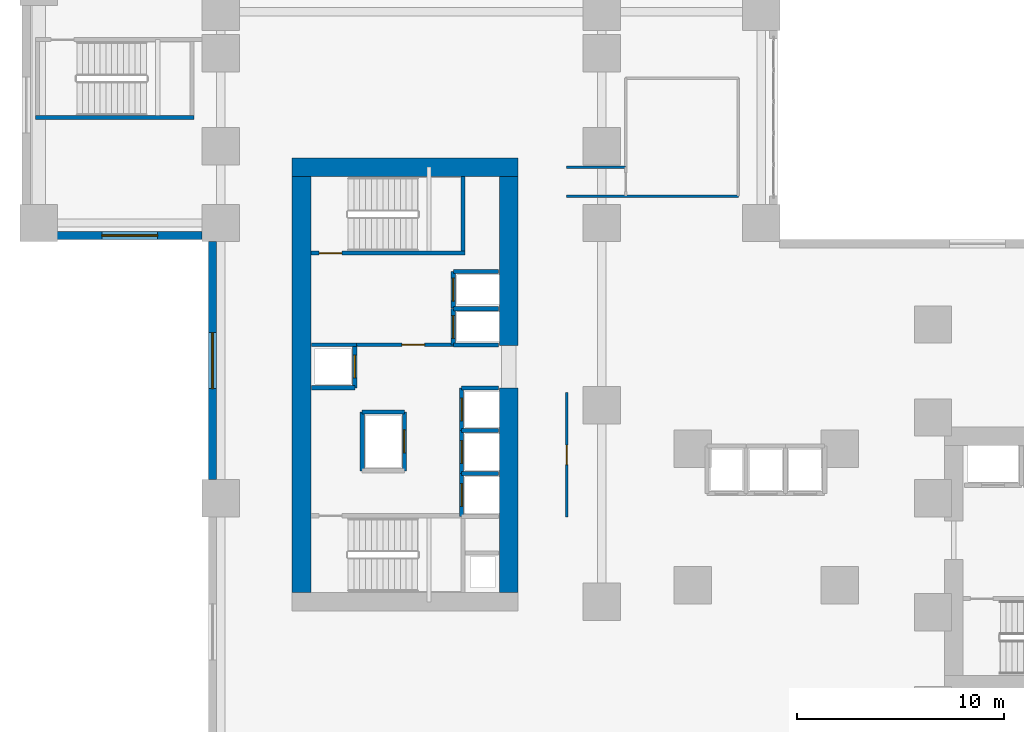
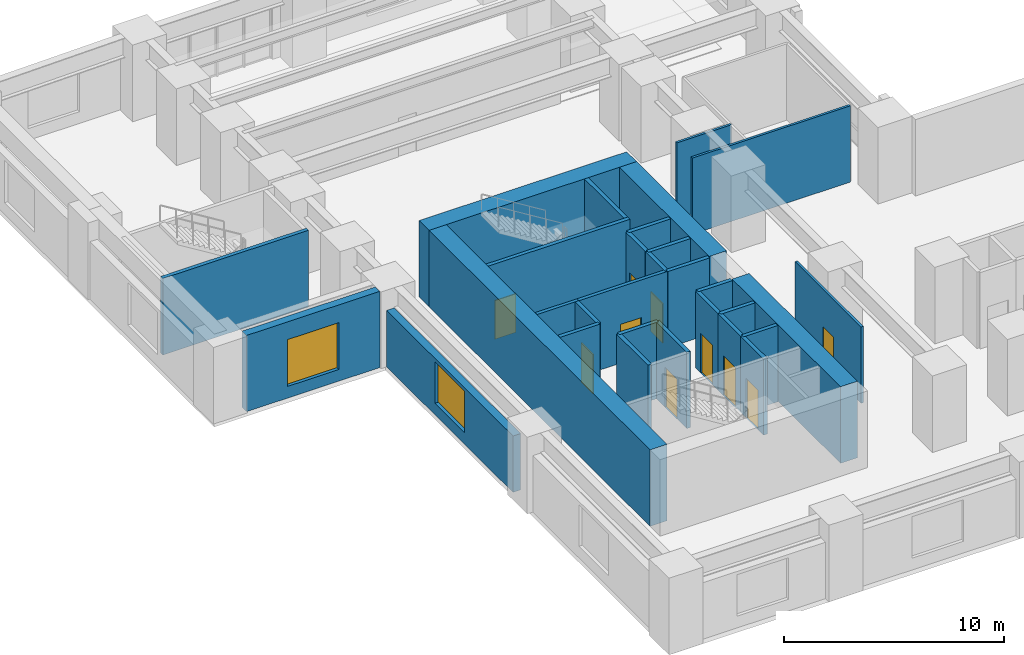
# One storey, part 7 of 13: 30 walls, 10 doors, 2 windows, 12 openings.
"""IFC4 building model written with IfcOpenShell, lengths in metres."""

from ifc_helpers import new_model, si_unit, direction, frame, frame_2d, origin, place, context, subcontext, project, spatial, rectangle, extrude, source, transform, mapped, material, layer, layer_set, type_object, element, fill, save


model = new_model("IFC4")

# Units and contexts
model_context = context("Model", 3, precision=1e-05, world=origin(), true_north=direction((0.0, 1.0)))
body_context = subcontext(model_context, "Body", "Model", "MODEL_VIEW")
ifc_project = project(units=[si_unit("LENGTHUNIT", "METRE"), si_unit("AREAUNIT", "SQUARE_METRE"), si_unit("VOLUMEUNIT", "CUBIC_METRE"), si_unit("PLANEANGLEUNIT", "RADIAN"), si_unit("MASSUNIT", "GRAM", prefix="KILO")], contexts=[model_context])

# Site, building, storey
site_placement = place(None, origin())
site = spatial("IfcSite", under=ifc_project, at=site_placement, CompositionType="ELEMENT")
building_placement = place(site_placement, origin())
building = spatial("IfcBuilding", under=site, at=building_placement, Name="Kharzan Plaza Tower", CompositionType="ELEMENT")
storey_placement = place(building_placement, frame((0.0, 0.0, 4.5)))
storey = spatial("IfcBuildingStorey", under=building, at=storey_placement, Name="L01", CompositionType="ELEMENT", Elevation=4.5)

# Wall, opening, door
ifc_material_1 = material(Name="Concrete C40/50", Category="concrete")
ifc_layer_1 = layer(ifc_material_1, 0.179931640625)
ifc_layer_set_1 = layer_set([ifc_layer_1], Name="Concrete C40/50")
wall_type_1 = type_object("IfcWallType", Name="WL-INT-FIRE-180", PredefinedType="PARTITIONING", material=ifc_layer_set_1)
wall_1_placement = place(storey_placement, frame((7.14990234375, 20.919921875, 0.0), z_axis=(0.0, 0.0, 1.0), x_axis=(1.0, 0.0, 0.0)))
wall_1 = element("IfcWall", 1, at=wall_1_placement, inside=storey, type_object=wall_type_1, Name="L01 Interior Partition CA-FF-S", PredefinedType="PARTITIONING", context=body_context, shape_type="SweptSolid", body=[
    extrude(rectangle(XDim=4.68017578125, YDim=0.179931640625, at=frame_2d((2.340087890625, 0.0))), origin(), (0.0, 0.0, 1.0), 4.235107421875),
])
opening_1_placement = place(wall_1_placement, frame((2.199951171875, 0.0, 0.0)))
opening_1 = element("IfcOpeningElement", 2, at=opening_1_placement, cuts=wall_1, Name="Opening FD1", PredefinedType="OPENING", context=body_context, shape_type="SweptSolid", body=[
    extrude(rectangle(XDim=1.10009765625, YDim=2.14990234375, at=frame_2d((0.550048828125, 1.074951171875))), frame((0.0, 0.099853515625, 0.0), z_axis=(0.0, -1.0, 0.0), x_axis=(1.0, 0.0, 0.0)), (0.0, 0.0, 1.0), 0.199951171875),
])
ifc_material_2 = material(Name="Fire-Rated Acoustic Vision-Panel Steel", Category="steel")
door_type_1 = type_object("IfcDoorType", Name="DR-FIRE-LOBBY", OperationType="NOTDEFINED", PredefinedType="DOOR", material=ifc_material_2)
shared_shape_1 = source(origin(), body_context, "Body", "SweptSolid", [
    extrude(rectangle(XDim=1.10009765625, YDim=2.14990234375, at=frame_2d((0.550048828125, 1.074951171875))), frame((0.0, 0.02490234375, 0.0), z_axis=(0.0, -1.0, 0.0), x_axis=(1.0, 0.0, 0.0)), (0.0, 0.0, 1.0), 0.050048828125),
])
door_1_placement = place(opening_1_placement, origin())
door_1 = element("IfcDoor", 3, at=door_1_placement, inside=storey, type_object=door_type_1, Name="L01 Firefighting Lobby Door", OperationType="SINGLE_SWING_LEFT", OverallHeight=2.14990234375, OverallWidth=1.10009765625, PredefinedType="DOOR", context=body_context, shape_type="MappedRepresentation", body=[
    mapped(shared_shape_1, transform((0.0, 0.0, 0.0), x_axis=(1.0, 0.0, 0.0), y_axis=(0.0, 1.0, 0.0), z_axis=(0.0, 0.0, 1.0))),
])
fill(opening_1, door_1)

ifc_material_3 = material(Name="Fire-Rated Gypsum Board Partition", Category="gypsum")
ifc_layer_2 = layer(ifc_material_3, 0.125)
ifc_layer_set_2 = layer_set([ifc_layer_2], Name="Fire-Rated Gypsum Board Partition")
wall_type_2 = type_object("IfcWallType", Name="WL-INT-PART-125", PredefinedType="PARTITIONING", material=ifc_layer_set_2)
wall_2_placement = place(storey_placement, frame((17.300048828125, 12.60009765625, 0.0), z_axis=(0.0, 0.0, 1.0), x_axis=(0.0, 1.0, 0.0)))
wall_2 = element("IfcWall", 4, at=wall_2_placement, inside=storey, type_object=wall_type_2, Name="L01 Interior Partition L01-W3", PredefinedType="PARTITIONING", context=body_context, shape_type="SweptSolid", body=[
    extrude(rectangle(XDim=6.0, YDim=0.125, at=frame_2d((3.0, 0.0))), origin(), (0.0, 0.0, 1.0), 4.235107421875),
])
opening_2_placement = place(wall_2_placement, frame((2.52490234375, 0.0, 0.0)))
opening_2 = element("IfcOpeningElement", 5, at=opening_2_placement, cuts=wall_2, Name="Opening OD1", PredefinedType="OPENING", context=body_context, shape_type="SweptSolid", body=[
    extrude(rectangle(XDim=0.949951171875, YDim=2.14990234375, at=frame_2d((0.47509765625, 1.074951171875))), frame((0.0, 0.072509765625, 0.0), z_axis=(0.0, -1.0, 0.0), x_axis=(1.0, 0.0, 0.0)), (0.0, 0.0, 1.0), 0.14501953125),
])
ifc_material_4 = material(Name="Acoustic Solid-Core Stained Oak", Category="timber")
door_type_2 = type_object("IfcDoorType", Name="DR-OFF-SINGLE", OperationType="NOTDEFINED", PredefinedType="DOOR", material=ifc_material_4)
shared_shape_2 = source(origin(), body_context, "Body", "SweptSolid", [
    extrude(rectangle(XDim=0.949951171875, YDim=2.14990234375, at=frame_2d((0.47509765625, 1.074951171875))), frame((0.0, 0.02490234375, 0.0), z_axis=(0.0, -1.0, 0.0), x_axis=(1.0, 0.0, 0.0)), (0.0, 0.0, 1.0), 0.050048828125),
])
door_2_placement = place(opening_2_placement, origin())
door_2 = element("IfcDoor", 6, at=door_2_placement, inside=storey, type_object=door_type_2, Name="L01 Delegates Hall Door", OperationType="SINGLE_SWING_LEFT", OverallHeight=2.14990234375, OverallWidth=0.949951171875, PredefinedType="DOOR", context=body_context, shape_type="MappedRepresentation", body=[
    mapped(shared_shape_2, transform((0.0, 0.0, 0.0), x_axis=(1.0, 0.0, 0.0), y_axis=(0.0, 1.0, 0.0), z_axis=(0.0, 0.0, 1.0))),
])
fill(opening_2, door_2)

ifc_layer_3 = layer(ifc_material_1, 0.199951171875)
ifc_layer_set_3 = layer_set([ifc_layer_3], Name="Concrete C40/50")
wall_type_3 = type_object("IfcWallType", Name="WL-INT-SHAFT-200", PredefinedType="PARTITIONING", material=ifc_layer_set_3)
wall_3_placement = place(storey_placement, frame((11.830078125, 20.89990234375, 0.0), z_axis=(0.0, 0.0, 1.0), x_axis=(0.0, 1.0, 0.0)))
wall_3 = element("IfcWall", 7, at=wall_3_placement, inside=storey, type_object=wall_type_3, Name="L01 Interior Partition SHF-FFL-1-W", PredefinedType="PARTITIONING", context=body_context, shape_type="SweptSolid", body=[
    extrude(rectangle(XDim=1.760009765625, YDim=0.199951171875, at=frame_2d((0.8798828125, 0.0))), origin(), (0.0, 0.0, 1.0), 4.235107421875),
])
opening_3_placement = place(wall_3_placement, frame((0.330078125, 0.0, 0.0)))
opening_3 = element("IfcOpeningElement", 8, at=opening_3_placement, cuts=wall_3, Name="Opening LD", PredefinedType="OPENING", context=body_context, shape_type="SweptSolid", body=[
    extrude(rectangle(XDim=1.10009765625, YDim=2.199951171875, at=frame_2d((0.550048828125, 1.10009765625))), frame((0.0, 0.10986328125, 0.0), z_axis=(0.0, -1.0, 0.0), x_axis=(1.0, 0.0, 0.0)), (0.0, 0.0, 1.0), 0.219970703125),
])
ifc_material_5 = material(Name="Brushed Stainless Steel", Category="steel")
door_type_3 = type_object("IfcDoorType", Name="DR-LIFT-SLIDE", OperationType="SLIDING_TO_LEFT", PredefinedType="DOOR", material=ifc_material_5)
shared_shape_3 = source(origin(), body_context, "Body", "SweptSolid", [
    extrude(rectangle(XDim=1.10009765625, YDim=2.199951171875, at=frame_2d((0.550048828125, 1.10009765625))), frame((0.0, 0.02490234375, 0.0), z_axis=(0.0, -1.0, 0.0), x_axis=(1.0, 0.0, 0.0)), (0.0, 0.0, 1.0), 0.050048828125),
])
door_3_placement = place(opening_3_placement, origin())
door_3 = element("IfcDoor", 9, at=door_3_placement, inside=storey, type_object=door_type_3, Name="L01 Firefighting Lift FFL-1 Sliding Landing Door", OperationType="SLIDING_TO_LEFT", OverallHeight=2.199951171875, OverallWidth=1.10009765625, PredefinedType="DOOR", context=body_context, shape_type="MappedRepresentation", body=[
    mapped(shared_shape_3, transform((0.0, 0.0, 0.0), x_axis=(1.0, 0.0, 0.0), y_axis=(0.0, 1.0, 0.0), z_axis=(0.0, 0.0, 1.0))),
])
fill(opening_3, door_3)

wall_4_placement = place(storey_placement, frame((11.830078125, 22.699951171875, 0.0), z_axis=(0.0, 0.0, 1.0), x_axis=(0.0, 1.0, 0.0)))
wall_4 = element("IfcWall", 10, at=wall_4_placement, inside=storey, type_object=wall_type_3, Name="L01 Interior Partition SHF-FFL-2-W", PredefinedType="PARTITIONING", context=body_context, shape_type="SweptSolid", body=[
    extrude(rectangle(XDim=1.760009765625, YDim=0.199951171875, at=frame_2d((0.8798828125, 0.0))), origin(), (0.0, 0.0, 1.0), 4.235107421875),
])
opening_4_placement = place(wall_4_placement, frame((0.330078125, 0.0, 0.0)))
opening_4 = element("IfcOpeningElement", 11, at=opening_4_placement, cuts=wall_4, Name="Opening LD", PredefinedType="OPENING", context=body_context, shape_type="SweptSolid", body=[
    extrude(rectangle(XDim=1.10009765625, YDim=2.199951171875, at=frame_2d((0.550048828125, 1.10009765625))), frame((0.0, 0.10986328125, 0.0), z_axis=(0.0, -1.0, 0.0), x_axis=(1.0, 0.0, 0.0)), (0.0, 0.0, 1.0), 0.219970703125),
])
door_4_placement = place(opening_4_placement, origin())
door_4 = element("IfcDoor", 12, at=door_4_placement, inside=storey, type_object=door_type_3, Name="L01 Firefighting Lift FFL-2 Sliding Landing Door", OperationType="SLIDING_TO_LEFT", OverallHeight=2.199951171875, OverallWidth=1.10009765625, PredefinedType="DOOR", context=body_context, shape_type="MappedRepresentation", body=[
    mapped(shared_shape_3, transform((0.0, 0.0, 0.0), x_axis=(1.0, 0.0, 0.0), y_axis=(0.0, 1.0, 0.0), z_axis=(0.0, 0.0, 1.0))),
])
fill(opening_4, door_4)

wall_5_placement = place(storey_placement, frame((12.22998046875, 12.6298828125, 0.0), z_axis=(0.0, 0.0, 1.0), x_axis=(0.0, 1.0, 0.0)))
wall_5 = element("IfcWall", 13, at=wall_5_placement, inside=storey, type_object=wall_type_3, Name="L01 Interior Partition SHF-PL-H1-W", PredefinedType="PARTITIONING", context=body_context, shape_type="SweptSolid", body=[
    extrude(rectangle(XDim=2.070068359375, YDim=0.199951171875, at=frame_2d((1.03515625, 0.0))), origin(), (0.0, 0.0, 1.0), 4.235107421875),
])
opening_5_placement = place(wall_5_placement, frame((0.485107421875, 0.0, 0.0)))
opening_5 = element("IfcOpeningElement", 14, at=opening_5_placement, cuts=wall_5, Name="Opening LD", PredefinedType="OPENING", context=body_context, shape_type="SweptSolid", body=[
    extrude(rectangle(XDim=1.10009765625, YDim=2.199951171875, at=frame_2d((0.550048828125, 1.10009765625))), frame((0.0, 0.10986328125, 0.0), z_axis=(0.0, -1.0, 0.0), x_axis=(1.0, 0.0, 0.0)), (0.0, 0.0, 1.0), 0.219970703125),
])
door_5_placement = place(opening_5_placement, origin())
door_5 = element("IfcDoor", 15, at=door_5_placement, inside=storey, type_object=door_type_3, Name="L01 High-Rise Passenger Lift PL-H1 Sliding Landing Door", OperationType="SLIDING_TO_LEFT", OverallHeight=2.199951171875, OverallWidth=1.10009765625, PredefinedType="DOOR", context=body_context, shape_type="MappedRepresentation", body=[
    mapped(shared_shape_3, transform((0.0, 0.0, 0.0), x_axis=(1.0, 0.0, 0.0), y_axis=(0.0, 1.0, 0.0), z_axis=(0.0, 0.0, 1.0))),
])
fill(opening_5, door_5)

wall_6_placement = place(storey_placement, frame((12.22998046875, 14.699951171875, 0.0), z_axis=(0.0, 0.0, 1.0), x_axis=(0.0, 1.0, 0.0)))
wall_6 = element("IfcWall", 16, at=wall_6_placement, inside=storey, type_object=wall_type_3, Name="L01 Interior Partition SHF-PL-H2-W", PredefinedType="PARTITIONING", context=body_context, shape_type="SweptSolid", body=[
    extrude(rectangle(XDim=2.070068359375, YDim=0.199951171875, at=frame_2d((1.03515625, 0.0))), origin(), (0.0, 0.0, 1.0), 4.235107421875),
])
opening_6_placement = place(wall_6_placement, frame((0.485107421875, 0.0, 0.0)))
opening_6 = element("IfcOpeningElement", 17, at=opening_6_placement, cuts=wall_6, Name="Opening LD", PredefinedType="OPENING", context=body_context, shape_type="SweptSolid", body=[
    extrude(rectangle(XDim=1.10009765625, YDim=2.199951171875, at=frame_2d((0.550048828125, 1.10009765625))), frame((0.0, 0.10986328125, 0.0), z_axis=(0.0, -1.0, 0.0), x_axis=(1.0, 0.0, 0.0)), (0.0, 0.0, 1.0), 0.219970703125),
])
door_6_placement = place(opening_6_placement, origin())
door_6 = element("IfcDoor", 18, at=door_6_placement, inside=storey, type_object=door_type_3, Name="L01 High-Rise Passenger Lift PL-H2 Sliding Landing Door", OperationType="SLIDING_TO_LEFT", OverallHeight=2.199951171875, OverallWidth=1.10009765625, PredefinedType="DOOR", context=body_context, shape_type="MappedRepresentation", body=[
    mapped(shared_shape_3, transform((0.0, 0.0, 0.0), x_axis=(1.0, 0.0, 0.0), y_axis=(0.0, 1.0, 0.0), z_axis=(0.0, 0.0, 1.0))),
])
fill(opening_6, door_6)

wall_7_placement = place(storey_placement, frame((12.22998046875, 16.77001953125, 0.0), z_axis=(0.0, 0.0, 1.0), x_axis=(0.0, 1.0, 0.0)))
wall_7 = element("IfcWall", 19, at=wall_7_placement, inside=storey, type_object=wall_type_3, Name="L01 Interior Partition SHF-PL-H3-W", PredefinedType="PARTITIONING", context=body_context, shape_type="SweptSolid", body=[
    extrude(rectangle(XDim=2.050048828125, YDim=0.199951171875, at=frame_2d((1.02490234375, 0.0))), origin(), (0.0, 0.0, 1.0), 4.235107421875),
])
opening_7_placement = place(wall_7_placement, frame((0.47509765625, 0.0, 0.0)))
opening_7 = element("IfcOpeningElement", 20, at=opening_7_placement, cuts=wall_7, Name="Opening LD", PredefinedType="OPENING", context=body_context, shape_type="SweptSolid", body=[
    extrude(rectangle(XDim=1.10009765625, YDim=2.199951171875, at=frame_2d((0.550048828125, 1.10009765625))), frame((0.0, 0.10986328125, 0.0), z_axis=(0.0, -1.0, 0.0), x_axis=(1.0, 0.0, 0.0)), (0.0, 0.0, 1.0), 0.219970703125),
])
door_7_placement = place(opening_7_placement, origin())
door_7 = element("IfcDoor", 21, at=door_7_placement, inside=storey, type_object=door_type_3, Name="L01 High-Rise Passenger Lift PL-H3 Sliding Landing Door", OperationType="SLIDING_TO_LEFT", OverallHeight=2.199951171875, OverallWidth=1.10009765625, PredefinedType="DOOR", context=body_context, shape_type="MappedRepresentation", body=[
    mapped(shared_shape_3, transform((0.0, 0.0, 0.0), x_axis=(1.0, 0.0, 0.0), y_axis=(0.0, 1.0, 0.0), z_axis=(0.0, 0.0, 1.0))),
])
fill(opening_7, door_7)

wall_8_placement = place(storey_placement, frame((7.070068359375, 18.840087890625, 0.0), z_axis=(0.0, 0.0, 1.0), x_axis=(0.0, 1.0, 0.0)))
wall_8 = element("IfcWall", 22, at=wall_8_placement, inside=storey, type_object=wall_type_3, Name="L01 Interior Partition SHF-PL-H4-E", PredefinedType="PARTITIONING", context=body_context, shape_type="SweptSolid", body=[
    extrude(rectangle(XDim=2.059814453125, YDim=0.199951171875, at=frame_2d((1.02978515625, 0.0))), origin(), (0.0, 0.0, 1.0), 4.235107421875),
])
opening_8_placement = place(wall_8_placement, frame((0.47998046875, 0.0, 0.0)))
opening_8 = element("IfcOpeningElement", 23, at=opening_8_placement, cuts=wall_8, Name="Opening LD", PredefinedType="OPENING", context=body_context, shape_type="SweptSolid", body=[
    extrude(rectangle(XDim=1.10009765625, YDim=2.199951171875, at=frame_2d((0.550048828125, 1.10009765625))), frame((0.0, 0.10986328125, 0.0), z_axis=(0.0, -1.0, 0.0), x_axis=(1.0, 0.0, 0.0)), (0.0, 0.0, 1.0), 0.219970703125),
])
door_8_placement = place(opening_8_placement, origin())
door_8 = element("IfcDoor", 24, at=door_8_placement, inside=storey, type_object=door_type_3, Name="L01 High-Rise Passenger Lift PL-H4 Sliding Landing Door", OperationType="SLIDING_TO_LEFT", OverallHeight=2.199951171875, OverallWidth=1.10009765625, PredefinedType="DOOR", context=body_context, shape_type="MappedRepresentation", body=[
    mapped(shared_shape_3, transform((0.0, 0.0, 0.0), x_axis=(1.0, 0.0, 0.0), y_axis=(0.0, 1.0, 0.0), z_axis=(0.0, 0.0, 1.0))),
])
fill(opening_8, door_8)

wall_9_placement = place(storey_placement, frame((9.469970703125, 14.830078125, 0.0), z_axis=(0.0, 0.0, 1.0), x_axis=(0.0, 1.0, 0.0)))
wall_9 = element("IfcWall", 25, at=wall_9_placement, inside=storey, type_object=wall_type_3, Name="L01 Interior Partition SHF-SVL-1-E", PredefinedType="PARTITIONING", context=body_context, shape_type="SweptSolid", body=[
    extrude(rectangle(XDim=2.83984375, YDim=0.199951171875, at=frame_2d((1.419921875, 0.0))), origin(), (0.0, 0.0, 1.0), 4.235107421875),
])
opening_9_placement = place(wall_9_placement, frame((0.8701171875, 0.0, 0.0)))
opening_9 = element("IfcOpeningElement", 26, at=opening_9_placement, cuts=wall_9, Name="Opening LD", PredefinedType="OPENING", context=body_context, shape_type="SweptSolid", body=[
    extrude(rectangle(XDim=1.10009765625, YDim=2.199951171875, at=frame_2d((0.550048828125, 1.10009765625))), frame((0.0, 0.10986328125, 0.0), z_axis=(0.0, -1.0, 0.0), x_axis=(1.0, 0.0, 0.0)), (0.0, 0.0, 1.0), 0.219970703125),
])
door_9_placement = place(opening_9_placement, origin())
door_9 = element("IfcDoor", 27, at=door_9_placement, inside=storey, type_object=door_type_3, Name="L01 Service Lift SVL-1 Sliding Landing Door", OperationType="SLIDING_TO_LEFT", OverallHeight=2.199951171875, OverallWidth=1.10009765625, PredefinedType="DOOR", context=body_context, shape_type="MappedRepresentation", body=[
    mapped(shared_shape_3, transform((0.0, 0.0, 0.0), x_axis=(1.0, 0.0, 0.0), y_axis=(0.0, 1.0, 0.0), z_axis=(0.0, 0.0, 1.0))),
])
fill(opening_9, door_9)

# Wall, opening, window
ifc_layer_4 = layer(ifc_material_1, 0.39990234375)
ifc_layer_set_4 = layer_set([ifc_layer_4], Name="Concrete C40/50")
wall_type_4 = type_object("IfcWallType", Name="WL-POD-MAS-400", PredefinedType="SOLIDWALL", material=ifc_layer_set_4)
wall_10_placement = place(storey_placement, frame((-7.302001953125, 26.199951171875, 0.0), z_axis=(0.0, 0.0, 1.0), x_axis=(1.0, 0.0, 0.0)))
wall_10 = element("IfcWall", 28, at=wall_10_placement, inside=storey, type_object=wall_type_4, Name="L01 Masonry-Frame Exterior Wall 14", PredefinedType="SOLIDWALL", context=body_context, shape_type="SweptSolid", body=[
    extrude(rectangle(XDim=7.00390625, YDim=0.39990234375, at=frame_2d((3.501953125, 0.0))), origin(), (0.0, 0.0, 1.0), 4.235107421875),
])
opening_10_placement = place(wall_10_placement, frame((2.152099609375, 0.0, 0.64990234375)))
opening_10 = element("IfcOpeningElement", 29, at=opening_10_placement, cuts=wall_10, Name="Opening W4", PredefinedType="OPENING", context=body_context, shape_type="SweptSolid", body=[
    extrude(rectangle(XDim=2.699951171875, YDim=2.60009765625, at=frame_2d((1.35009765625, 1.300048828125))), frame((0.0, 0.2099609375, 0.0), z_axis=(0.0, -1.0, 0.0), x_axis=(1.0, 0.0, 0.0)), (0.0, 0.0, 1.0), 0.419921875),
])
ifc_material_6 = material(Name="Low-E Double Glazing", Category="glass")
window_type = type_object("IfcWindowType", Name="WN-POD-2700x2600", PartitioningType="SINGLE_PANEL", PredefinedType="WINDOW", material=ifc_material_6)
shared_shape_4 = source(origin(), body_context, "Body", "SweptSolid", [
    extrude(rectangle(XDim=2.699951171875, YDim=2.60009765625, at=frame_2d((1.35009765625, 1.300048828125))), frame((0.0, 0.030029296875, 0.0), z_axis=(0.0, -1.0, 0.0), x_axis=(1.0, 0.0, 0.0)), (0.0, 0.0, 1.0), 0.06005859375),
])
window_1_placement = place(opening_10_placement, origin())
window_1 = element("IfcWindow", 30, at=window_1_placement, inside=storey, type_object=window_type, Name="L01 Recessed Solar-Control Window 14-1", OverallHeight=2.60009765625, OverallWidth=2.699951171875, PartitioningType="SINGLE_PANEL", PredefinedType="WINDOW", context=body_context, shape_type="MappedRepresentation", body=[
    mapped(shared_shape_4, transform((0.0, 0.0, 0.0), x_axis=(1.0, 0.0, 0.0), y_axis=(0.0, 1.0, 0.0), z_axis=(0.0, 0.0, 1.0))),
])
fill(opening_10, window_1)

wall_11_placement = place(storey_placement, frame((0.199951171875, 25.902099609375, 0.0), z_axis=(0.0, 0.0, 1.0), x_axis=(0.0, -1.0, 0.0)))
wall_11 = element("IfcWall", 31, at=wall_11_placement, inside=storey, type_object=wall_type_4, Name="L01 Masonry-Frame Exterior Wall 15", PredefinedType="SOLIDWALL", context=body_context, shape_type="SweptSolid", body=[
    extrude(rectangle(XDim=11.504150390625, YDim=0.39990234375, at=frame_2d((5.751953125, 0.0))), origin(), (0.0, 0.0, 1.0), 3.135009765625),
])
opening_11_placement = place(wall_11_placement, frame((4.402099609375, 0.0, 0.64990234375)))
opening_11 = element("IfcOpeningElement", 32, at=opening_11_placement, cuts=wall_11, Name="Opening W4", PredefinedType="OPENING", context=body_context, shape_type="SweptSolid", body=[
    extrude(rectangle(XDim=2.699951171875, YDim=2.304931640625, at=frame_2d((1.35009765625, 1.15234375))), frame((0.0, 0.2099609375, 0.0), z_axis=(0.0, -1.0, 0.0), x_axis=(1.0, 0.0, 0.0)), (0.0, 0.0, 1.0), 0.419921875),
])
shared_shape_5 = source(origin(), body_context, "Body", "SweptSolid", [
    extrude(rectangle(XDim=2.699951171875, YDim=2.304931640625, at=frame_2d((1.35009765625, 1.15234375))), frame((0.0, 0.030029296875, 0.0), z_axis=(0.0, -1.0, 0.0), x_axis=(1.0, 0.0, 0.0)), (0.0, 0.0, 1.0), 0.06005859375),
])
window_2_placement = place(opening_11_placement, origin())
window_2 = element("IfcWindow", 33, at=window_2_placement, inside=storey, type_object=window_type, Name="L01 Recessed Solar-Control Window 15-1", OverallHeight=2.304931640625, OverallWidth=2.699951171875, PartitioningType="SINGLE_PANEL", PredefinedType="WINDOW", context=body_context, shape_type="MappedRepresentation", body=[
    mapped(shared_shape_5, transform((0.0, 0.0, 0.0), x_axis=(1.0, 0.0, 0.0), y_axis=(0.0, 1.0, 0.0), z_axis=(0.0, 0.0, 1.0))),
])
fill(opening_11, window_2)

# Wall, opening, door
ifc_material_7 = material(Name="Concrete C50/60", Category="concrete")
ifc_layer_5 = layer(ifc_material_7, 0.199951171875)
ifc_layer_set_5 = layer_set([ifc_layer_5], Name="Concrete C50/60")
wall_type_5 = type_object("IfcWallType", Name="WL-SHAFT-RC200", PredefinedType="SHEAR", material=ifc_layer_set_5)
wall_12_placement = place(storey_placement, frame((4.951904296875, 25.344970703125, 0.0), z_axis=(0.0, 0.0, 1.0), x_axis=(1.0, 0.0, 0.0)))
wall_12 = element("IfcWall", 34, at=wall_12_placement, inside=storey, type_object=wall_type_5, Name="L01 Stair ST-2 South RC Shaft Wall", PredefinedType="SHEAR", context=body_context, shape_type="SweptSolid", body=[
    extrude(rectangle(XDim=7.453125, YDim=0.199951171875, at=frame_2d((3.7265625, 0.0))), origin(), (0.0, 0.0, 1.0), 4.25),
])
opening_12_placement = place(wall_12_placement, frame((0.39990234375, 0.0, 0.0)))
opening_12 = element("IfcOpeningElement", 35, at=opening_12_placement, cuts=wall_12, Name="Opening SD1", PredefinedType="OPENING", context=body_context, shape_type="SweptSolid", body=[
    extrude(rectangle(XDim=1.10009765625, YDim=2.14990234375, at=frame_2d((0.550048828125, 1.074951171875))), frame((0.0, 0.10986328125, 0.0), z_axis=(0.0, -1.0, 0.0), x_axis=(1.0, 0.0, 0.0)), (0.0, 0.0, 1.0), 0.219970703125),
])
ifc_material_8 = material(Name="Fire-Rated Hollow Galvanized Steel", Category="steel")
door_type_4 = type_object("IfcDoorType", Name="DR-STAIR-FD120", OperationType="NOTDEFINED", PredefinedType="DOOR", material=ifc_material_8)
shared_shape_6 = source(origin(), body_context, "Body", "SweptSolid", [
    extrude(rectangle(XDim=1.10009765625, YDim=2.14990234375, at=frame_2d((0.550048828125, 1.074951171875))), frame((0.0, 0.02490234375, 0.0), z_axis=(0.0, -1.0, 0.0), x_axis=(1.0, 0.0, 0.0)), (0.0, 0.0, 1.0), 0.050048828125),
])
door_10_placement = place(opening_12_placement, origin())
door_10 = element("IfcDoor", 36, at=door_10_placement, inside=storey, type_object=door_type_4, Name="L01 Stair ST-2 Fire Exit Door", OperationType="SINGLE_SWING_RIGHT", OverallHeight=2.14990234375, OverallWidth=1.10009765625, PredefinedType="DOOR", context=body_context, shape_type="MappedRepresentation", body=[
    mapped(shared_shape_6, transform((0.0, 0.0, 0.0), x_axis=(1.0, 0.0, 0.0), y_axis=(0.0, 1.0, 0.0), z_axis=(0.0, 0.0, 1.0))),
])
fill(opening_12, door_10)

# Walls
ifc_material_9 = material(Name="Concrete C60/75", Category="concrete")
ifc_layer_6 = layer(ifc_material_9, 0.89990234375)
ifc_layer_set_6 = layer_set([ifc_layer_6], Name="Concrete C60/75")
wall_type_6 = type_object("IfcWallType", Name="WL-CORE-900", PredefinedType="SHEAR", material=ifc_layer_set_6)
shared_shape_7 = source(origin(), body_context, "Body", "SweptSolid", [
    extrude(rectangle(XDim=9.8701171875, YDim=0.89990234375, at=frame_2d((4.93505859375, 0.0))), origin(), (0.0, 0.0, 1.0), 4.25),
])
wall_13_placement = place(storey_placement, frame((14.5, 8.949951171875, 0.0), z_axis=(0.0, 0.0, 1.0), x_axis=(0.0, 1.0, 0.0)))
element("IfcWall", 37, at=wall_13_placement, inside=storey, type_object=wall_type_6, Name="L01 CORE-A east shear pier 1", PredefinedType="SHEAR", context=body_context, shape_type="MappedRepresentation", body=[
    mapped(shared_shape_7, transform((0.0, 0.0, 0.0), x_axis=(1.0, 0.0, 0.0), y_axis=(0.0, 1.0, 0.0), z_axis=(0.0, 0.0, 1.0))),
])
shared_shape_8 = source(origin(), body_context, "Body", "SweptSolid", [
    extrude(rectangle(XDim=8.170166015625, YDim=0.89990234375, at=frame_2d((4.0849609375, 0.0))), origin(), (0.0, 0.0, 1.0), 4.25),
])
wall_14_placement = place(storey_placement, frame((14.5, 20.8798828125, 0.0), z_axis=(0.0, 0.0, 1.0), x_axis=(0.0, 1.0, 0.0)))
element("IfcWall", 38, at=wall_14_placement, inside=storey, type_object=wall_type_6, Name="L01 CORE-A east shear pier 2", PredefinedType="SHEAR", context=body_context, shape_type="MappedRepresentation", body=[
    mapped(shared_shape_8, transform((0.0, 0.0, 0.0), x_axis=(1.0, 0.0, 0.0), y_axis=(0.0, 1.0, 0.0), z_axis=(0.0, 0.0, 1.0))),
])
shared_shape_9 = source(origin(), body_context, "Body", "SweptSolid", [
    extrude(rectangle(XDim=10.89990234375, YDim=0.89990234375, at=frame_2d((5.449951171875, 0.0))), origin(), (0.0, 0.0, 1.0), 4.25),
])
wall_15_placement = place(storey_placement, frame((4.050048828125, 29.5, 0.0), z_axis=(0.0, 0.0, 1.0), x_axis=(1.0, 0.0, 0.0)))
element("IfcWall", 39, at=wall_15_placement, inside=storey, type_object=wall_type_6, Name="L01 CORE-A north RC shear wall", PredefinedType="SHEAR", context=body_context, shape_type="MappedRepresentation", body=[
    mapped(shared_shape_9, transform((0.0, 0.0, 0.0), x_axis=(1.0, 0.0, 0.0), y_axis=(0.0, 1.0, 0.0), z_axis=(0.0, 0.0, 1.0))),
])
shared_shape_10 = source(origin(), body_context, "Body", "SweptSolid", [
    extrude(rectangle(XDim=2.169921875, YDim=0.179931640625, at=frame_2d((1.0849609375, 0.0))), origin(), (0.0, 0.0, 1.0), 4.235107421875),
])
wall_16_placement = place(storey_placement, frame((4.97998046875, 20.919921875, 0.0), z_axis=(0.0, 0.0, 1.0), x_axis=(1.0, 0.0, 0.0)))
element("IfcWall", 40, at=wall_16_placement, inside=storey, type_object=wall_type_1, Name="L01 Interior Partition CA-FF-SW", PredefinedType="PARTITIONING", context=body_context, shape_type="MappedRepresentation", body=[
    mapped(shared_shape_10, transform((0.0, 0.0, 0.0), x_axis=(1.0, 0.0, 0.0), y_axis=(0.0, 1.0, 0.0), z_axis=(0.0, 0.0, 1.0))),
])
shared_shape_11 = source(origin(), body_context, "Body", "SweptSolid", [
    extrude(rectangle(XDim=2.849853515625, YDim=0.125, at=frame_2d((1.4248046875, 0.0))), origin(), (0.0, 0.0, 1.0), 4.235107421875),
])
wall_17_placement = place(storey_placement, frame((17.300048828125, 29.5, 0.0), z_axis=(0.0, 0.0, 1.0), x_axis=(1.0, 0.0, 0.0)))
element("IfcWall", 41, at=wall_17_placement, inside=storey, type_object=wall_type_2, Name="L01 Interior Partition L01-WCPN1", PredefinedType="PARTITIONING", context=body_context, shape_type="MappedRepresentation", body=[
    mapped(shared_shape_11, transform((0.0, 0.0, 0.0), x_axis=(1.0, 0.0, 0.0), y_axis=(0.0, 1.0, 0.0), z_axis=(0.0, 0.0, 1.0))),
])
shared_shape_12 = source(origin(), body_context, "Body", "SweptSolid", [
    extrude(rectangle(XDim=8.300048828125, YDim=0.125, at=frame_2d((4.14990234375, 0.0))), origin(), (0.0, 0.0, 1.0), 4.235107421875),
])
wall_18_placement = place(storey_placement, frame((17.300048828125, 28.10009765625, 0.0), z_axis=(0.0, 0.0, 1.0), x_axis=(1.0, 0.0, 0.0)))
element("IfcWall", 42, at=wall_18_placement, inside=storey, type_object=wall_type_2, Name="L01 Interior Partition L01-WCPS", PredefinedType="PARTITIONING", context=body_context, shape_type="MappedRepresentation", body=[
    mapped(shared_shape_12, transform((0.0, 0.0, 0.0), x_axis=(1.0, 0.0, 0.0), y_axis=(0.0, 1.0, 0.0), z_axis=(0.0, 0.0, 1.0))),
])
shared_shape_13 = source(origin(), body_context, "Body", "SweptSolid", [
    extrude(rectangle(XDim=2.18994140625, YDim=0.199951171875, at=frame_2d((1.094970703125, 0.0))), origin(), (0.0, 0.0, 1.0), 4.235107421875),
])
for number, where, z_axis, x_axis, name in (
    (43, (11.830078125, 22.659912109375, 0.0), (0.0, 0.0, 1.0), (1.0, 0.0, 0.0), "L01 Interior Partition SHF-FFL-1-N"),
    (44, (11.830078125, 20.89990234375, 0.0), (0.0, 0.0, 1.0), (1.0, 0.0, 0.0), "L01 Interior Partition SHF-FFL-1-S"),
    (45, (11.830078125, 24.4599609375, 0.0), (0.0, 0.0, 1.0), (1.0, 0.0, 0.0), "L01 Interior Partition SHF-FFL-2-N"),
):
    element("IfcWall", number, at=place(storey_placement, frame(where, z_axis=z_axis, x_axis=x_axis)), inside=storey, type_object=wall_type_3, Name=name, PredefinedType="PARTITIONING", context=body_context, shape_type="MappedRepresentation", body=[
        mapped(shared_shape_13, transform((0.0, 0.0, 0.0), x_axis=(1.0, 0.0, 0.0), y_axis=(0.0, 1.0, 0.0), z_axis=(0.0, 0.0, 1.0))),
    ])
shared_shape_14 = source(origin(), body_context, "Body", "SweptSolid", [
    extrude(rectangle(XDim=1.7900390625, YDim=0.199951171875, at=frame_2d((0.89501953125, 0.0))), origin(), (0.0, 0.0, 1.0), 4.235107421875),
])
for number, where, z_axis, x_axis, name in (
    (46, (12.22998046875, 14.699951171875, 0.0), (0.0, 0.0, 1.0), (1.0, 0.0, 0.0), "L01 Interior Partition SHF-PL-H1-N"),
    (47, (12.22998046875, 16.77001953125, 0.0), (0.0, 0.0, 1.0), (1.0, 0.0, 0.0), "L01 Interior Partition SHF-PL-H2-N"),
    (48, (12.22998046875, 18.820068359375, 0.0), (0.0, 0.0, 1.0), (1.0, 0.0, 0.0), "L01 Interior Partition SHF-PL-H3-N"),
):
    element("IfcWall", number, at=place(storey_placement, frame(where, z_axis=z_axis, x_axis=x_axis)), inside=storey, type_object=wall_type_3, Name=name, PredefinedType="PARTITIONING", context=body_context, shape_type="MappedRepresentation", body=[
        mapped(shared_shape_14, transform((0.0, 0.0, 0.0), x_axis=(1.0, 0.0, 0.0), y_axis=(0.0, 1.0, 0.0), z_axis=(0.0, 0.0, 1.0))),
    ])
shared_shape_15 = source(origin(), body_context, "Body", "SweptSolid", [
    extrude(rectangle(XDim=2.090087890625, YDim=0.199951171875, at=frame_2d((1.044921875, 0.0))), origin(), (0.0, 0.0, 1.0), 4.235107421875),
])
wall_19_placement = place(storey_placement, frame((4.97998046875, 18.840087890625, 0.0), z_axis=(0.0, 0.0, 1.0), x_axis=(1.0, 0.0, 0.0)))
element("IfcWall", 49, at=wall_19_placement, inside=storey, type_object=wall_type_3, Name="L01 Interior Partition SHF-PL-H4-S", PredefinedType="PARTITIONING", context=body_context, shape_type="MappedRepresentation", body=[
    mapped(shared_shape_15, transform((0.0, 0.0, 0.0), x_axis=(1.0, 0.0, 0.0), y_axis=(0.0, 1.0, 0.0), z_axis=(0.0, 0.0, 1.0))),
])
shared_shape_16 = source(origin(), body_context, "Body", "SweptSolid", [
    extrude(rectangle(XDim=2.0400390625, YDim=0.199951171875, at=frame_2d((1.02001953125, 0.0))), origin(), (0.0, 0.0, 1.0), 4.235107421875),
])
wall_20_placement = place(storey_placement, frame((7.429931640625, 17.669921875, 0.0), z_axis=(0.0, 0.0, 1.0), x_axis=(1.0, 0.0, 0.0)))
element("IfcWall", 50, at=wall_20_placement, inside=storey, type_object=wall_type_3, Name="L01 Interior Partition SHF-SVL-1-N", PredefinedType="PARTITIONING", context=body_context, shape_type="MappedRepresentation", body=[
    mapped(shared_shape_16, transform((0.0, 0.0, 0.0), x_axis=(1.0, 0.0, 0.0), y_axis=(0.0, 1.0, 0.0), z_axis=(0.0, 0.0, 1.0))),
])
shared_shape_17 = source(origin(), body_context, "Body", "SweptSolid", [
    extrude(rectangle(XDim=2.83984375, YDim=0.199951171875, at=frame_2d((1.419921875, 0.0))), origin(), (0.0, 0.0, 1.0), 4.235107421875),
])
wall_21_placement = place(storey_placement, frame((7.429931640625, 14.830078125, 0.0), z_axis=(0.0, 0.0, 1.0), x_axis=(0.0, 1.0, 0.0)))
element("IfcWall", 51, at=wall_21_placement, inside=storey, type_object=wall_type_3, Name="L01 Interior Partition SHF-SVL-1-W", PredefinedType="PARTITIONING", context=body_context, shape_type="MappedRepresentation", body=[
    mapped(shared_shape_17, transform((0.0, 0.0, 0.0), x_axis=(1.0, 0.0, 0.0), y_axis=(0.0, 1.0, 0.0), z_axis=(0.0, 0.0, 1.0))),
])
shared_shape_18 = source(origin(), body_context, "Body", "SweptSolid", [
    extrude(rectangle(XDim=3.60302734375, YDim=0.199951171875, at=frame_2d((1.801513671875, 0.0))), origin(), (0.0, 0.0, 1.0), 4.25),
])
wall_22_placement = place(storey_placement, frame((12.304931640625, 25.445068359375, 0.0), z_axis=(0.0, 0.0, 1.0), x_axis=(0.0, 1.0, 0.0)))
element("IfcWall", 52, at=wall_22_placement, inside=storey, type_object=wall_type_5, Name="L01 Stair ST-2 East RC Shaft Wall", PredefinedType="SHEAR", context=body_context, shape_type="MappedRepresentation", body=[
    mapped(shared_shape_18, transform((0.0, 0.0, 0.0), x_axis=(1.0, 0.0, 0.0), y_axis=(0.0, 1.0, 0.0), z_axis=(0.0, 0.0, 1.0))),
])
shared_shape_19 = source(origin(), body_context, "Body", "SweptSolid", [
    extrude(rectangle(XDim=7.655029296875, YDim=0.199951171875, at=frame_2d((3.82763671875, 0.0))), origin(), (0.0, 0.0, 1.0), 4.25),
])
wall_23_placement = place(storey_placement, frame((-8.35009765625, 31.89501953125, 0.0), z_axis=(0.0, 0.0, 1.0), x_axis=(1.0, 0.0, 0.0)))
element("IfcWall", 53, at=wall_23_placement, inside=storey, type_object=wall_type_5, Name="L01 Stair ST-4 South RC Shaft Wall", PredefinedType="SHEAR", context=body_context, shape_type="MappedRepresentation", body=[
    mapped(shared_shape_19, transform((0.0, 0.0, 0.0), x_axis=(1.0, 0.0, 0.0), y_axis=(0.0, 1.0, 0.0), z_axis=(0.0, 0.0, 1.0))),
])
shared_shape_20 = source(origin(), body_context, "Body", "SweptSolid", [
    extrude(rectangle(XDim=20.10009765625, YDim=0.89990234375, at=frame_2d((10.050048828125, 0.0))), origin(), (0.0, 0.0, 1.0), 4.25),
])
wall_24_placement = place(storey_placement, frame((4.5, 8.949951171875, 0.0), z_axis=(0.0, 0.0, 1.0), x_axis=(0.0, 1.0, 0.0)))
element("IfcWall", 54, at=wall_24_placement, inside=storey, type_object=wall_type_6, Name="L01 CORE-A west RC shear wall", PredefinedType="SHEAR", context=body_context, shape_type="MappedRepresentation", body=[
    mapped(shared_shape_20, transform((0.0, 0.0, 0.0), x_axis=(1.0, 0.0, 0.0), y_axis=(0.0, 1.0, 0.0), z_axis=(0.0, 0.0, 1.0))),
])

save(model, "model.ifc")
